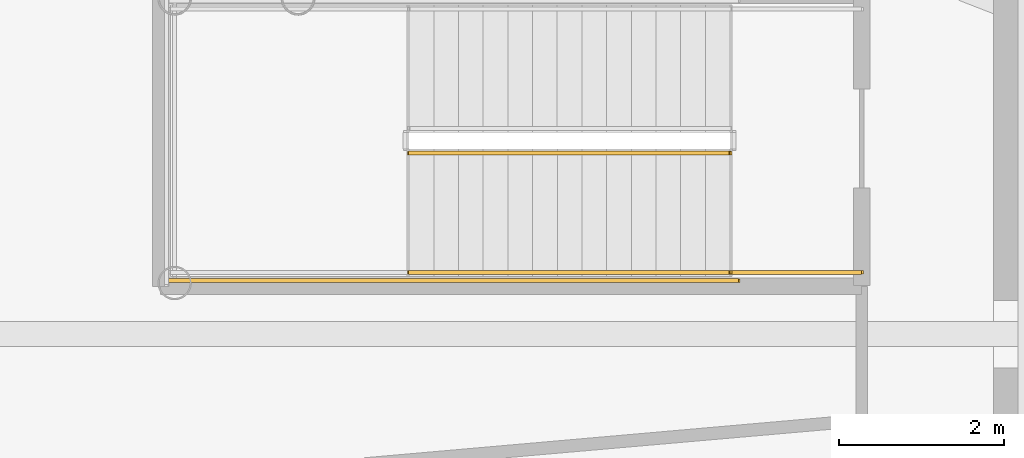
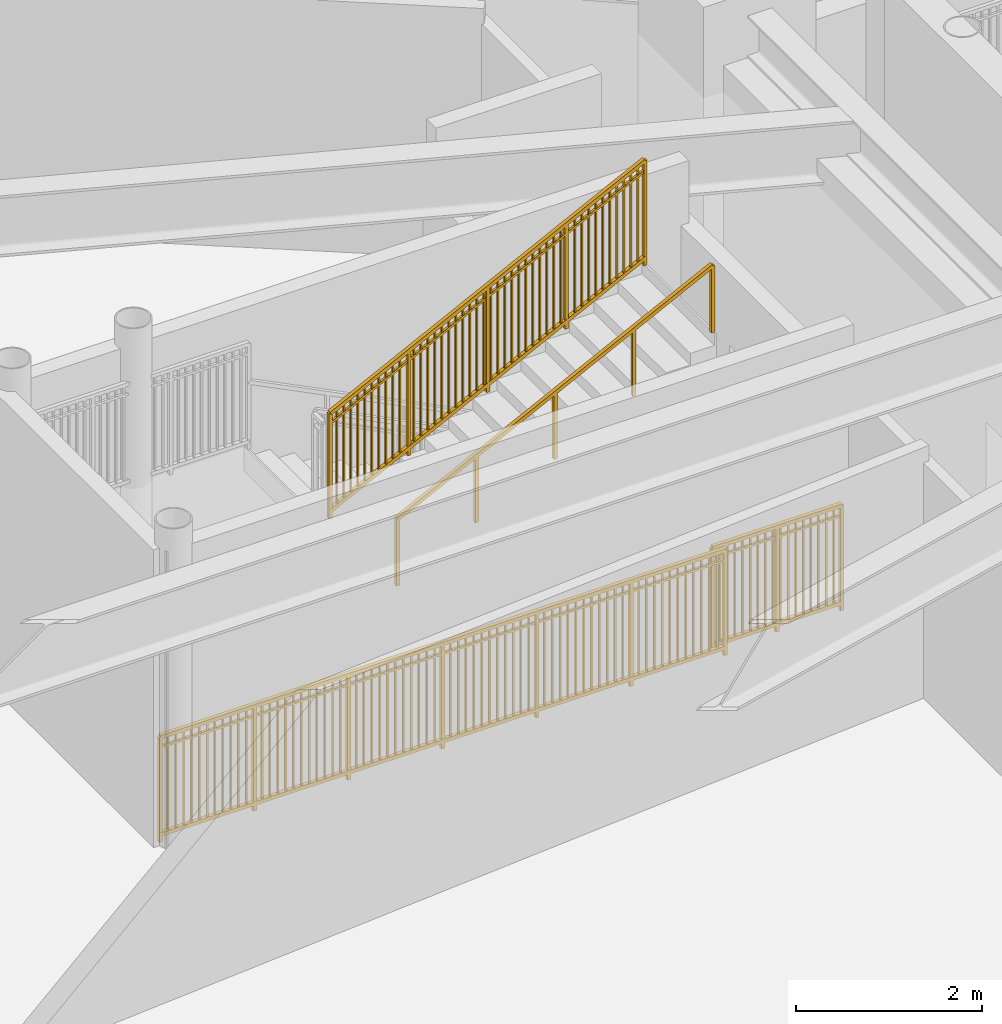
# One storey, part 21 of 30: 4 railings.
"""IFC4 building model written with IfcOpenShell, lengths in metres."""

from ifc_helpers import new_model, si_unit, direction, frame, origin, origin_2d, place, context, subcontext, project, spatial, rectangle, extrude, source, transform, mapped, material, type_object, element, save


model = new_model("IFC4")

# Units and contexts
model_context = context("Model", 3, precision=1e-05, world=origin(), true_north=direction((0.0, 1.0)))
body_context = subcontext(model_context, "Body", "Model", "MODEL_VIEW")
ifc_project = project(units=[si_unit("LENGTHUNIT", "METRE"), si_unit("AREAUNIT", "SQUARE_METRE"), si_unit("VOLUMEUNIT", "CUBIC_METRE"), si_unit("PLANEANGLEUNIT", "RADIAN"), si_unit("MASSUNIT", "GRAM", prefix="KILO")], contexts=[model_context])

# Site, building, storey
site_placement = place(None, origin())
site = spatial("IfcSite", under=ifc_project, at=site_placement, CompositionType="ELEMENT")
building_placement = place(site_placement, origin())
building = spatial("IfcBuilding", under=site, at=building_placement, Name="Linh Dai School and Residence Tower", CompositionType="ELEMENT")
storey_placement = place(building_placement, frame((0.0, 0.0, 10.199951171875)))
storey = spatial("IfcBuildingStorey", under=building, at=storey_placement, Name="L02", CompositionType="ELEMENT", Elevation=10.199951171875)

# Railings
ifc_material_1 = material(Name="Structural Steel S355JR", Category="steel")
railing_type_1 = type_object("IfcRailingType", Name="RL-ST-GUARD-1400", PredefinedType="GUARDRAIL", material=ifc_material_1)
shared_shape_1 = source(origin(), body_context, "Body", "SweptSolid", [
    extrude(rectangle(XDim=0.048095703125, YDim=0.048095703125, at=origin_2d()), frame((0.0, 0.0, 1.3759765625), z_axis=(-1.0, 0.0, 0.0), x_axis=(0.0, -1.0, 0.0)), (0.0, 0.0, 1.0), 1.60009765625),
    extrude(rectangle(XDim=0.048095703125, YDim=0.048095703125, at=origin_2d()), frame((0.0, 0.0, 0.10009765625), z_axis=(-1.0, 0.0, 0.0), x_axis=(0.0, -1.0, 0.0)), (0.0, 0.0, 1.0), 1.60009765625),
    extrude(rectangle(XDim=0.030029296875, YDim=0.030029296875, at=origin_2d()), frame((0.0, 0.0, 1.239990234375), z_axis=(-1.0, 0.0, 0.0), x_axis=(0.0, -1.0, 0.0)), (0.0, 0.0, 1.0), 1.60009765625),
    extrude(rectangle(XDim=0.02001953125, YDim=0.02001953125, at=origin_2d()), frame((-0.09423828125, 0.0, 0.10009765625)), (0.0, 0.0, 1.0), 1.251708984375),
    extrude(rectangle(XDim=0.02001953125, YDim=0.02001953125, at=origin_2d()), frame((-0.188232421875, 0.0, 0.10009765625)), (0.0, 0.0, 1.0), 1.251708984375),
    extrude(rectangle(XDim=0.02001953125, YDim=0.02001953125, at=origin_2d()), frame((-0.282470703125, 0.0, 0.10009765625)), (0.0, 0.0, 1.0), 1.251708984375),
    extrude(rectangle(XDim=0.02001953125, YDim=0.02001953125, at=origin_2d()), frame((-0.37646484375, 0.0, 0.10009765625)), (0.0, 0.0, 1.0), 1.251708984375),
    extrude(rectangle(XDim=0.02001953125, YDim=0.02001953125, at=origin_2d()), frame((-0.470703125, 0.0, 0.10009765625)), (0.0, 0.0, 1.0), 1.251708984375),
    extrude(rectangle(XDim=0.02001953125, YDim=0.02001953125, at=origin_2d()), frame((-0.564697265625, 0.0, 0.10009765625)), (0.0, 0.0, 1.0), 1.251708984375),
    extrude(rectangle(XDim=0.02001953125, YDim=0.02001953125, at=origin_2d()), frame((-0.658935546875, 0.0, 0.10009765625)), (0.0, 0.0, 1.0), 1.251708984375),
    extrude(rectangle(XDim=0.02001953125, YDim=0.02001953125, at=origin_2d()), frame((-0.7529296875, 0.0, 0.10009765625)), (0.0, 0.0, 1.0), 1.251708984375),
    extrude(rectangle(XDim=0.02001953125, YDim=0.02001953125, at=origin_2d()), frame((-0.84716796875, 0.0, 0.10009765625)), (0.0, 0.0, 1.0), 1.251708984375),
    extrude(rectangle(XDim=0.02001953125, YDim=0.02001953125, at=origin_2d()), frame((-0.941162109375, 0.0, 0.10009765625)), (0.0, 0.0, 1.0), 1.251708984375),
    extrude(rectangle(XDim=0.02001953125, YDim=0.02001953125, at=origin_2d()), frame((-1.035400390625, 0.0, 0.10009765625)), (0.0, 0.0, 1.0), 1.251708984375),
    extrude(rectangle(XDim=0.02001953125, YDim=0.02001953125, at=origin_2d()), frame((-1.12939453125, 0.0, 0.10009765625)), (0.0, 0.0, 1.0), 1.251708984375),
    extrude(rectangle(XDim=0.02001953125, YDim=0.02001953125, at=origin_2d()), frame((-1.2236328125, 0.0, 0.10009765625)), (0.0, 0.0, 1.0), 1.251708984375),
    extrude(rectangle(XDim=0.02001953125, YDim=0.02001953125, at=origin_2d()), frame((-1.317626953125, 0.0, 0.10009765625)), (0.0, 0.0, 1.0), 1.251708984375),
    extrude(rectangle(XDim=0.02001953125, YDim=0.02001953125, at=origin_2d()), frame((-1.411865234375, 0.0, 0.10009765625)), (0.0, 0.0, 1.0), 1.251708984375),
    extrude(rectangle(XDim=0.02001953125, YDim=0.02001953125, at=origin_2d()), frame((-1.505859375, 0.0, 0.10009765625)), (0.0, 0.0, 1.0), 1.251708984375),
    extrude(rectangle(XDim=0.0419921875, YDim=0.0419921875, at=origin_2d()), origin(), (0.0, 0.0, 1.0), 1.3759765625),
    extrude(rectangle(XDim=0.0419921875, YDim=0.0419921875, at=origin_2d()), frame((-0.800048828125, 0.0, 0.0)), (0.0, 0.0, 1.0), 1.3759765625),
    extrude(rectangle(XDim=0.0419921875, YDim=0.0419921875, at=origin_2d()), frame((-1.60009765625, 0.0, 0.0)), (0.0, 0.0, 1.0), 1.3759765625),
])
railing_1_placement = place(storey_placement, frame((24.0, 27.75, 0.0)))
element("IfcRailing", 1, at=railing_1_placement, inside=storey, type_object=railing_type_1, Name="L02 STS1 stair guard 9", PredefinedType="GUARDRAIL", context=body_context, shape_type="MappedRepresentation", body=[
    mapped(shared_shape_1, transform((0.0, 0.0, 0.0), x_axis=(1.0, 0.0, 0.0), y_axis=(0.0, 1.0, 0.0), z_axis=(0.0, 0.0, 1.0), scale=1.0)),
])
shared_shape_2 = source(origin(), body_context, "Body", "SweptSolid", [
    extrude(rectangle(XDim=0.048095703125, YDim=0.048095703125, at=origin_2d()), frame((0.0, 0.0, 1.3759765625), z_axis=(0.894427191, 0.0, 0.4472135955), x_axis=(0.0, 1.0, 0.0)), (0.0, 0.0, 1.0), 4.360107421875),
    extrude(rectangle(XDim=0.048095703125, YDim=0.048095703125, at=origin_2d()), frame((0.0, 0.0, 0.10009765625), z_axis=(0.894427191, 0.0, 0.4472135955), x_axis=(0.0, 1.0, 0.0)), (0.0, 0.0, 1.0), 4.360107421875),
    extrude(rectangle(XDim=0.030029296875, YDim=0.030029296875, at=origin_2d()), frame((0.0, 0.0, 1.239990234375), z_axis=(0.894427191, 0.0, 0.4472135955), x_axis=(0.0, 1.0, 0.0)), (0.0, 0.0, 1.0), 4.360107421875),
    extrude(rectangle(XDim=0.02001953125, YDim=0.02001953125, at=origin_2d()), frame((0.086669921875, 0.0, 0.143310546875)), (0.0, 0.0, 1.0), 1.251708984375),
    extrude(rectangle(XDim=0.02001953125, YDim=0.02001953125, at=origin_2d()), frame((0.17333984375, 0.0, 0.186767578125)), (0.0, 0.0, 1.0), 1.251708984375),
    extrude(rectangle(XDim=0.02001953125, YDim=0.02001953125, at=origin_2d()), frame((0.260009765625, 0.0, 0.22998046875)), (0.0, 0.0, 1.0), 1.251708984375),
    extrude(rectangle(XDim=0.02001953125, YDim=0.02001953125, at=origin_2d()), frame((0.3466796875, 0.0, 0.2734375)), (0.0, 0.0, 1.0), 1.251708984375),
    extrude(rectangle(XDim=0.02001953125, YDim=0.02001953125, at=origin_2d()), frame((0.433349609375, 0.0, 0.316650390625)), (0.0, 0.0, 1.0), 1.251708984375),
    extrude(rectangle(XDim=0.02001953125, YDim=0.02001953125, at=origin_2d()), frame((0.52001953125, 0.0, 0.360107421875)), (0.0, 0.0, 1.0), 1.251708984375),
    extrude(rectangle(XDim=0.02001953125, YDim=0.02001953125, at=origin_2d()), frame((0.606689453125, 0.0, 0.4033203125)), (0.0, 0.0, 1.0), 1.251708984375),
    extrude(rectangle(XDim=0.02001953125, YDim=0.02001953125, at=origin_2d()), frame((0.693359375, 0.0, 0.44677734375)), (0.0, 0.0, 1.0), 1.251708984375),
    extrude(rectangle(XDim=0.02001953125, YDim=0.02001953125, at=origin_2d()), frame((0.780029296875, 0.0, 0.489990234375)), (0.0, 0.0, 1.0), 1.251708984375),
    extrude(rectangle(XDim=0.02001953125, YDim=0.02001953125, at=origin_2d()), frame((0.86669921875, 0.0, 0.533447265625)), (0.0, 0.0, 1.0), 1.251708984375),
    extrude(rectangle(XDim=0.02001953125, YDim=0.02001953125, at=origin_2d()), frame((1.0400390625, 0.0, 0.6201171875)), (0.0, 0.0, 1.0), 1.251708984375),
    extrude(rectangle(XDim=0.02001953125, YDim=0.02001953125, at=origin_2d()), frame((1.126708984375, 0.0, 0.663330078125)), (0.0, 0.0, 1.0), 1.251708984375),
    extrude(rectangle(XDim=0.02001953125, YDim=0.02001953125, at=origin_2d()), frame((1.21337890625, 0.0, 0.706787109375)), (0.0, 0.0, 1.0), 1.251708984375),
    extrude(rectangle(XDim=0.02001953125, YDim=0.02001953125, at=origin_2d()), frame((1.300048828125, 0.0, 0.75)), (0.0, 0.0, 1.0), 1.251708984375),
    extrude(rectangle(XDim=0.02001953125, YDim=0.02001953125, at=origin_2d()), frame((1.38671875, 0.0, 0.79345703125)), (0.0, 0.0, 1.0), 1.251708984375),
    extrude(rectangle(XDim=0.02001953125, YDim=0.02001953125, at=origin_2d()), frame((1.473388671875, 0.0, 0.836669921875)), (0.0, 0.0, 1.0), 1.251708984375),
    extrude(rectangle(XDim=0.02001953125, YDim=0.02001953125, at=origin_2d()), frame((1.56005859375, 0.0, 0.880126953125)), (0.0, 0.0, 1.0), 1.251708984375),
    extrude(rectangle(XDim=0.02001953125, YDim=0.02001953125, at=origin_2d()), frame((1.646728515625, 0.0, 0.92333984375)), (0.0, 0.0, 1.0), 1.251708984375),
    extrude(rectangle(XDim=0.02001953125, YDim=0.02001953125, at=origin_2d()), frame((1.7333984375, 0.0, 0.966796875)), (0.0, 0.0, 1.0), 1.251708984375),
    extrude(rectangle(XDim=0.02001953125, YDim=0.02001953125, at=origin_2d()), frame((1.820068359375, 0.0, 1.010009765625)), (0.0, 0.0, 1.0), 1.251708984375),
    extrude(rectangle(XDim=0.02001953125, YDim=0.02001953125, at=origin_2d()), frame((1.90673828125, 0.0, 1.053466796875)), (0.0, 0.0, 1.0), 1.251708984375),
    extrude(rectangle(XDim=0.02001953125, YDim=0.02001953125, at=origin_2d()), frame((1.9931640625, 0.0, 1.0966796875)), (0.0, 0.0, 1.0), 1.251708984375),
    extrude(rectangle(XDim=0.02001953125, YDim=0.02001953125, at=origin_2d()), frame((2.079833984375, 0.0, 1.14013671875)), (0.0, 0.0, 1.0), 1.251708984375),
    extrude(rectangle(XDim=0.02001953125, YDim=0.02001953125, at=origin_2d()), frame((2.16650390625, 0.0, 1.183349609375)), (0.0, 0.0, 1.0), 1.251708984375),
    extrude(rectangle(XDim=0.02001953125, YDim=0.02001953125, at=origin_2d()), frame((2.253173828125, 0.0, 1.226806640625)), (0.0, 0.0, 1.0), 1.251708984375),
    extrude(rectangle(XDim=0.02001953125, YDim=0.02001953125, at=origin_2d()), frame((2.33984375, 0.0, 1.27001953125)), (0.0, 0.0, 1.0), 1.251708984375),
    extrude(rectangle(XDim=0.02001953125, YDim=0.02001953125, at=origin_2d()), frame((2.426513671875, 0.0, 1.3134765625)), (0.0, 0.0, 1.0), 1.251708984375),
    extrude(rectangle(XDim=0.02001953125, YDim=0.02001953125, at=origin_2d()), frame((2.51318359375, 0.0, 1.356689453125)), (0.0, 0.0, 1.0), 1.251708984375),
    extrude(rectangle(XDim=0.02001953125, YDim=0.02001953125, at=origin_2d()), frame((2.599853515625, 0.0, 1.400146484375)), (0.0, 0.0, 1.0), 1.251708984375),
    extrude(rectangle(XDim=0.02001953125, YDim=0.02001953125, at=origin_2d()), frame((2.6865234375, 0.0, 1.443359375)), (0.0, 0.0, 1.0), 1.251708984375),
    extrude(rectangle(XDim=0.02001953125, YDim=0.02001953125, at=origin_2d()), frame((2.773193359375, 0.0, 1.48681640625)), (0.0, 0.0, 1.0), 1.251708984375),
    extrude(rectangle(XDim=0.02001953125, YDim=0.02001953125, at=origin_2d()), frame((2.85986328125, 0.0, 1.530029296875)), (0.0, 0.0, 1.0), 1.251708984375),
    extrude(rectangle(XDim=0.02001953125, YDim=0.02001953125, at=origin_2d()), frame((3.033203125, 0.0, 1.61669921875)), (0.0, 0.0, 1.0), 1.251708984375),
    extrude(rectangle(XDim=0.02001953125, YDim=0.02001953125, at=origin_2d()), frame((3.119873046875, 0.0, 1.66015625)), (0.0, 0.0, 1.0), 1.251708984375),
    extrude(rectangle(XDim=0.02001953125, YDim=0.02001953125, at=origin_2d()), frame((3.20654296875, 0.0, 1.703369140625)), (0.0, 0.0, 1.0), 1.251708984375),
    extrude(rectangle(XDim=0.02001953125, YDim=0.02001953125, at=origin_2d()), frame((3.293212890625, 0.0, 1.746826171875)), (0.0, 0.0, 1.0), 1.251708984375),
    extrude(rectangle(XDim=0.02001953125, YDim=0.02001953125, at=origin_2d()), frame((3.3798828125, 0.0, 1.7900390625)), (0.0, 0.0, 1.0), 1.251708984375),
    extrude(rectangle(XDim=0.02001953125, YDim=0.02001953125, at=origin_2d()), frame((3.466552734375, 0.0, 1.83349609375)), (0.0, 0.0, 1.0), 1.251708984375),
    extrude(rectangle(XDim=0.02001953125, YDim=0.02001953125, at=origin_2d()), frame((3.55322265625, 0.0, 1.876708984375)), (0.0, 0.0, 1.0), 1.251708984375),
    extrude(rectangle(XDim=0.02001953125, YDim=0.02001953125, at=origin_2d()), frame((3.639892578125, 0.0, 1.920166015625)), (0.0, 0.0, 1.0), 1.251708984375),
    extrude(rectangle(XDim=0.02001953125, YDim=0.02001953125, at=origin_2d()), frame((3.7265625, 0.0, 1.96337890625)), (0.0, 0.0, 1.0), 1.251708984375),
    extrude(rectangle(XDim=0.02001953125, YDim=0.02001953125, at=origin_2d()), frame((3.813232421875, 0.0, 2.0068359375)), (0.0, 0.0, 1.0), 1.251708984375),
    extrude(rectangle(XDim=0.0419921875, YDim=0.0419921875, at=origin_2d()), origin(), (0.0, 0.0, 1.0), 1.3759765625),
    extrude(rectangle(XDim=0.0419921875, YDim=0.0419921875, at=origin_2d()), frame((0.97509765625, 0.0, 0.487548828125)), (0.0, 0.0, 1.0), 1.3759765625),
    extrude(rectangle(XDim=0.0419921875, YDim=0.0419921875, at=origin_2d()), frame((1.949951171875, 0.0, 0.97509765625)), (0.0, 0.0, 1.0), 1.3759765625),
    extrude(rectangle(XDim=0.0419921875, YDim=0.0419921875, at=origin_2d()), frame((2.9248046875, 0.0, 1.46240234375)), (0.0, 0.0, 1.0), 1.3759765625),
    extrude(rectangle(XDim=0.0419921875, YDim=0.0419921875, at=origin_2d()), frame((3.89990234375, 0.0, 1.949951171875)), (0.0, 0.0, 1.0), 1.3759765625),
])
railing_2_placement = place(storey_placement, frame((18.5, 29.199951171875, 2.25)))
element("IfcRailing", 2, at=railing_2_placement, inside=storey, type_object=railing_type_1, Name="L02 STS1 stair guard 6", PredefinedType="GUARDRAIL", context=body_context, shape_type="MappedRepresentation", body=[
    mapped(shared_shape_2, transform((0.0, 0.0, 0.0), x_axis=(1.0, 0.0, 0.0), y_axis=(0.0, 1.0, 0.0), z_axis=(0.0, 0.0, 1.0), scale=1.0)),
])
shared_shape_3 = source(origin(), body_context, "Body", "SweptSolid", [
    extrude(rectangle(XDim=0.048095703125, YDim=0.048095703125, at=origin_2d()), frame((0.0, 0.0, 1.3759765625), z_axis=(-1.0, 0.0, 0.0), x_axis=(0.0, -1.0, 0.0)), (0.0, 0.0, 1.0), 7.0),
    extrude(rectangle(XDim=0.048095703125, YDim=0.048095703125, at=origin_2d()), frame((0.0, 0.0, 0.10009765625), z_axis=(-1.0, 0.0, 0.0), x_axis=(0.0, -1.0, 0.0)), (0.0, 0.0, 1.0), 7.0),
    extrude(rectangle(XDim=0.030029296875, YDim=0.030029296875, at=origin_2d()), frame((0.0, 0.0, 1.239990234375), z_axis=(-1.0, 0.0, 0.0), x_axis=(0.0, -1.0, 0.0)), (0.0, 0.0, 1.0), 7.0),
    extrude(rectangle(XDim=0.02001953125, YDim=0.02001953125, at=origin_2d()), frame((-0.09716796875, 0.0, 0.10009765625)), (0.0, 0.0, 1.0), 1.251708984375),
    extrude(rectangle(XDim=0.02001953125, YDim=0.02001953125, at=origin_2d()), frame((-0.1943359375, 0.0, 0.10009765625)), (0.0, 0.0, 1.0), 1.251708984375),
    extrude(rectangle(XDim=0.02001953125, YDim=0.02001953125, at=origin_2d()), frame((-0.291748046875, 0.0, 0.10009765625)), (0.0, 0.0, 1.0), 1.251708984375),
    extrude(rectangle(XDim=0.02001953125, YDim=0.02001953125, at=origin_2d()), frame((-0.388916015625, 0.0, 0.10009765625)), (0.0, 0.0, 1.0), 1.251708984375),
    extrude(rectangle(XDim=0.02001953125, YDim=0.02001953125, at=origin_2d()), frame((-0.486083984375, 0.0, 0.10009765625)), (0.0, 0.0, 1.0), 1.251708984375),
    extrude(rectangle(XDim=0.02001953125, YDim=0.02001953125, at=origin_2d()), frame((-0.583251953125, 0.0, 0.10009765625)), (0.0, 0.0, 1.0), 1.251708984375),
    extrude(rectangle(XDim=0.02001953125, YDim=0.02001953125, at=origin_2d()), frame((-0.6806640625, 0.0, 0.10009765625)), (0.0, 0.0, 1.0), 1.251708984375),
    extrude(rectangle(XDim=0.02001953125, YDim=0.02001953125, at=origin_2d()), frame((-0.77783203125, 0.0, 0.10009765625)), (0.0, 0.0, 1.0), 1.251708984375),
    extrude(rectangle(XDim=0.02001953125, YDim=0.02001953125, at=origin_2d()), frame((-0.875, 0.0, 0.10009765625)), (0.0, 0.0, 1.0), 1.251708984375),
    extrude(rectangle(XDim=0.02001953125, YDim=0.02001953125, at=origin_2d()), frame((-0.97216796875, 0.0, 0.10009765625)), (0.0, 0.0, 1.0), 1.251708984375),
    extrude(rectangle(XDim=0.02001953125, YDim=0.02001953125, at=origin_2d()), frame((-1.0693359375, 0.0, 0.10009765625)), (0.0, 0.0, 1.0), 1.251708984375),
    extrude(rectangle(XDim=0.02001953125, YDim=0.02001953125, at=origin_2d()), frame((-1.263916015625, 0.0, 0.10009765625)), (0.0, 0.0, 1.0), 1.251708984375),
    extrude(rectangle(XDim=0.02001953125, YDim=0.02001953125, at=origin_2d()), frame((-1.361083984375, 0.0, 0.10009765625)), (0.0, 0.0, 1.0), 1.251708984375),
    extrude(rectangle(XDim=0.02001953125, YDim=0.02001953125, at=origin_2d()), frame((-1.458251953125, 0.0, 0.10009765625)), (0.0, 0.0, 1.0), 1.251708984375),
    extrude(rectangle(XDim=0.02001953125, YDim=0.02001953125, at=origin_2d()), frame((-1.5556640625, 0.0, 0.10009765625)), (0.0, 0.0, 1.0), 1.251708984375),
    extrude(rectangle(XDim=0.02001953125, YDim=0.02001953125, at=origin_2d()), frame((-1.65283203125, 0.0, 0.10009765625)), (0.0, 0.0, 1.0), 1.251708984375),
    extrude(rectangle(XDim=0.02001953125, YDim=0.02001953125, at=origin_2d()), frame((-1.75, 0.0, 0.10009765625)), (0.0, 0.0, 1.0), 1.251708984375),
    extrude(rectangle(XDim=0.02001953125, YDim=0.02001953125, at=origin_2d()), frame((-1.84716796875, 0.0, 0.10009765625)), (0.0, 0.0, 1.0), 1.251708984375),
    extrude(rectangle(XDim=0.02001953125, YDim=0.02001953125, at=origin_2d()), frame((-1.9443359375, 0.0, 0.10009765625)), (0.0, 0.0, 1.0), 1.251708984375),
    extrude(rectangle(XDim=0.02001953125, YDim=0.02001953125, at=origin_2d()), frame((-2.041748046875, 0.0, 0.10009765625)), (0.0, 0.0, 1.0), 1.251708984375),
    extrude(rectangle(XDim=0.02001953125, YDim=0.02001953125, at=origin_2d()), frame((-2.138916015625, 0.0, 0.10009765625)), (0.0, 0.0, 1.0), 1.251708984375),
    extrude(rectangle(XDim=0.02001953125, YDim=0.02001953125, at=origin_2d()), frame((-2.236083984375, 0.0, 0.10009765625)), (0.0, 0.0, 1.0), 1.251708984375),
    extrude(rectangle(XDim=0.02001953125, YDim=0.02001953125, at=origin_2d()), frame((-2.4306640625, 0.0, 0.10009765625)), (0.0, 0.0, 1.0), 1.251708984375),
    extrude(rectangle(XDim=0.02001953125, YDim=0.02001953125, at=origin_2d()), frame((-2.52783203125, 0.0, 0.10009765625)), (0.0, 0.0, 1.0), 1.251708984375),
    extrude(rectangle(XDim=0.02001953125, YDim=0.02001953125, at=origin_2d()), frame((-2.625, 0.0, 0.10009765625)), (0.0, 0.0, 1.0), 1.251708984375),
    extrude(rectangle(XDim=0.02001953125, YDim=0.02001953125, at=origin_2d()), frame((-2.72216796875, 0.0, 0.10009765625)), (0.0, 0.0, 1.0), 1.251708984375),
    extrude(rectangle(XDim=0.02001953125, YDim=0.02001953125, at=origin_2d()), frame((-2.8193359375, 0.0, 0.10009765625)), (0.0, 0.0, 1.0), 1.251708984375),
    extrude(rectangle(XDim=0.02001953125, YDim=0.02001953125, at=origin_2d()), frame((-2.916748046875, 0.0, 0.10009765625)), (0.0, 0.0, 1.0), 1.251708984375),
    extrude(rectangle(XDim=0.02001953125, YDim=0.02001953125, at=origin_2d()), frame((-3.013916015625, 0.0, 0.10009765625)), (0.0, 0.0, 1.0), 1.251708984375),
    extrude(rectangle(XDim=0.02001953125, YDim=0.02001953125, at=origin_2d()), frame((-3.111083984375, 0.0, 0.10009765625)), (0.0, 0.0, 1.0), 1.251708984375),
    extrude(rectangle(XDim=0.02001953125, YDim=0.02001953125, at=origin_2d()), frame((-3.208251953125, 0.0, 0.10009765625)), (0.0, 0.0, 1.0), 1.251708984375),
    extrude(rectangle(XDim=0.02001953125, YDim=0.02001953125, at=origin_2d()), frame((-3.3056640625, 0.0, 0.10009765625)), (0.0, 0.0, 1.0), 1.251708984375),
    extrude(rectangle(XDim=0.02001953125, YDim=0.02001953125, at=origin_2d()), frame((-3.40283203125, 0.0, 0.10009765625)), (0.0, 0.0, 1.0), 1.251708984375),
    extrude(rectangle(XDim=0.02001953125, YDim=0.02001953125, at=origin_2d()), frame((-3.59716796875, 0.0, 0.10009765625)), (0.0, 0.0, 1.0), 1.251708984375),
    extrude(rectangle(XDim=0.02001953125, YDim=0.02001953125, at=origin_2d()), frame((-3.6943359375, 0.0, 0.10009765625)), (0.0, 0.0, 1.0), 1.251708984375),
    extrude(rectangle(XDim=0.02001953125, YDim=0.02001953125, at=origin_2d()), frame((-3.791748046875, 0.0, 0.10009765625)), (0.0, 0.0, 1.0), 1.251708984375),
    extrude(rectangle(XDim=0.02001953125, YDim=0.02001953125, at=origin_2d()), frame((-3.888916015625, 0.0, 0.10009765625)), (0.0, 0.0, 1.0), 1.251708984375),
    extrude(rectangle(XDim=0.02001953125, YDim=0.02001953125, at=origin_2d()), frame((-3.986083984375, 0.0, 0.10009765625)), (0.0, 0.0, 1.0), 1.251708984375),
    extrude(rectangle(XDim=0.02001953125, YDim=0.02001953125, at=origin_2d()), frame((-4.083251953125, 0.0, 0.10009765625)), (0.0, 0.0, 1.0), 1.251708984375),
    extrude(rectangle(XDim=0.02001953125, YDim=0.02001953125, at=origin_2d()), frame((-4.1806640625, 0.0, 0.10009765625)), (0.0, 0.0, 1.0), 1.251708984375),
    extrude(rectangle(XDim=0.02001953125, YDim=0.02001953125, at=origin_2d()), frame((-4.27783203125, 0.0, 0.10009765625)), (0.0, 0.0, 1.0), 1.251708984375),
    extrude(rectangle(XDim=0.02001953125, YDim=0.02001953125, at=origin_2d()), frame((-4.375, 0.0, 0.10009765625)), (0.0, 0.0, 1.0), 1.251708984375),
    extrude(rectangle(XDim=0.02001953125, YDim=0.02001953125, at=origin_2d()), frame((-4.47216796875, 0.0, 0.10009765625)), (0.0, 0.0, 1.0), 1.251708984375),
    extrude(rectangle(XDim=0.02001953125, YDim=0.02001953125, at=origin_2d()), frame((-4.5693359375, 0.0, 0.10009765625)), (0.0, 0.0, 1.0), 1.251708984375),
    extrude(rectangle(XDim=0.02001953125, YDim=0.02001953125, at=origin_2d()), frame((-4.763916015625, 0.0, 0.10009765625)), (0.0, 0.0, 1.0), 1.251708984375),
    extrude(rectangle(XDim=0.02001953125, YDim=0.02001953125, at=origin_2d()), frame((-4.861083984375, 0.0, 0.10009765625)), (0.0, 0.0, 1.0), 1.251708984375),
    extrude(rectangle(XDim=0.02001953125, YDim=0.02001953125, at=origin_2d()), frame((-4.958251953125, 0.0, 0.10009765625)), (0.0, 0.0, 1.0), 1.251708984375),
    extrude(rectangle(XDim=0.02001953125, YDim=0.02001953125, at=origin_2d()), frame((-5.0556640625, 0.0, 0.10009765625)), (0.0, 0.0, 1.0), 1.251708984375),
    extrude(rectangle(XDim=0.02001953125, YDim=0.02001953125, at=origin_2d()), frame((-5.15283203125, 0.0, 0.10009765625)), (0.0, 0.0, 1.0), 1.251708984375),
    extrude(rectangle(XDim=0.02001953125, YDim=0.02001953125, at=origin_2d()), frame((-5.25, 0.0, 0.10009765625)), (0.0, 0.0, 1.0), 1.251708984375),
    extrude(rectangle(XDim=0.02001953125, YDim=0.02001953125, at=origin_2d()), frame((-5.34716796875, 0.0, 0.10009765625)), (0.0, 0.0, 1.0), 1.251708984375),
    extrude(rectangle(XDim=0.02001953125, YDim=0.02001953125, at=origin_2d()), frame((-5.4443359375, 0.0, 0.10009765625)), (0.0, 0.0, 1.0), 1.251708984375),
    extrude(rectangle(XDim=0.02001953125, YDim=0.02001953125, at=origin_2d()), frame((-5.541748046875, 0.0, 0.10009765625)), (0.0, 0.0, 1.0), 1.251708984375),
    extrude(rectangle(XDim=0.02001953125, YDim=0.02001953125, at=origin_2d()), frame((-5.638916015625, 0.0, 0.10009765625)), (0.0, 0.0, 1.0), 1.251708984375),
    extrude(rectangle(XDim=0.02001953125, YDim=0.02001953125, at=origin_2d()), frame((-5.736083984375, 0.0, 0.10009765625)), (0.0, 0.0, 1.0), 1.251708984375),
    extrude(rectangle(XDim=0.02001953125, YDim=0.02001953125, at=origin_2d()), frame((-5.9306640625, 0.0, 0.10009765625)), (0.0, 0.0, 1.0), 1.251708984375),
    extrude(rectangle(XDim=0.02001953125, YDim=0.02001953125, at=origin_2d()), frame((-6.02783203125, 0.0, 0.10009765625)), (0.0, 0.0, 1.0), 1.251708984375),
    extrude(rectangle(XDim=0.02001953125, YDim=0.02001953125, at=origin_2d()), frame((-6.125, 0.0, 0.10009765625)), (0.0, 0.0, 1.0), 1.251708984375),
    extrude(rectangle(XDim=0.02001953125, YDim=0.02001953125, at=origin_2d()), frame((-6.22216796875, 0.0, 0.10009765625)), (0.0, 0.0, 1.0), 1.251708984375),
    extrude(rectangle(XDim=0.02001953125, YDim=0.02001953125, at=origin_2d()), frame((-6.3193359375, 0.0, 0.10009765625)), (0.0, 0.0, 1.0), 1.251708984375),
    extrude(rectangle(XDim=0.02001953125, YDim=0.02001953125, at=origin_2d()), frame((-6.416748046875, 0.0, 0.10009765625)), (0.0, 0.0, 1.0), 1.251708984375),
    extrude(rectangle(XDim=0.02001953125, YDim=0.02001953125, at=origin_2d()), frame((-6.513916015625, 0.0, 0.10009765625)), (0.0, 0.0, 1.0), 1.251708984375),
    extrude(rectangle(XDim=0.02001953125, YDim=0.02001953125, at=origin_2d()), frame((-6.611083984375, 0.0, 0.10009765625)), (0.0, 0.0, 1.0), 1.251708984375),
    extrude(rectangle(XDim=0.02001953125, YDim=0.02001953125, at=origin_2d()), frame((-6.708251953125, 0.0, 0.10009765625)), (0.0, 0.0, 1.0), 1.251708984375),
    extrude(rectangle(XDim=0.02001953125, YDim=0.02001953125, at=origin_2d()), frame((-6.8056640625, 0.0, 0.10009765625)), (0.0, 0.0, 1.0), 1.251708984375),
    extrude(rectangle(XDim=0.02001953125, YDim=0.02001953125, at=origin_2d()), frame((-6.90283203125, 0.0, 0.10009765625)), (0.0, 0.0, 1.0), 1.251708984375),
    extrude(rectangle(XDim=0.0419921875, YDim=0.0419921875, at=origin_2d()), origin(), (0.0, 0.0, 1.0), 1.3759765625),
    extrude(rectangle(XDim=0.0419921875, YDim=0.0419921875, at=origin_2d()), frame((-1.166748046875, 0.0, 0.0)), (0.0, 0.0, 1.0), 1.3759765625),
    extrude(rectangle(XDim=0.0419921875, YDim=0.0419921875, at=origin_2d()), frame((-2.333251953125, 0.0, 0.0)), (0.0, 0.0, 1.0), 1.3759765625),
    extrude(rectangle(XDim=0.0419921875, YDim=0.0419921875, at=origin_2d()), frame((-3.5, 0.0, 0.0)), (0.0, 0.0, 1.0), 1.3759765625),
    extrude(rectangle(XDim=0.0419921875, YDim=0.0419921875, at=origin_2d()), frame((-4.666748046875, 0.0, 0.0)), (0.0, 0.0, 1.0), 1.3759765625),
    extrude(rectangle(XDim=0.0419921875, YDim=0.0419921875, at=origin_2d()), frame((-5.833251953125, 0.0, 0.0)), (0.0, 0.0, 1.0), 1.3759765625),
    extrude(rectangle(XDim=0.0419921875, YDim=0.0419921875, at=origin_2d()), frame((-7.0, 0.0, 0.0)), (0.0, 0.0, 1.0), 1.3759765625),
])
railing_3_placement = place(storey_placement, frame((22.5, 27.64990234375, 0.0)))
element("IfcRailing", 3, at=railing_3_placement, inside=storey, type_object=railing_type_1, Name="L02 STS1 stair guard 11", PredefinedType="GUARDRAIL", context=body_context, shape_type="MappedRepresentation", body=[
    mapped(shared_shape_3, transform((0.0, 0.0, 0.0), x_axis=(1.0, 0.0, 0.0), y_axis=(0.0, 1.0, 0.0), z_axis=(0.0, 0.0, 1.0), scale=1.0)),
])
ifc_material_2 = material(Name="Brushed Stainless Steel Handrail", Category="steel")
railing_type_2 = type_object("IfcRailingType", Name="RL-ST-HANDRAIL-900", PredefinedType="HANDRAIL", material=ifc_material_2)
shared_shape_4 = source(origin(), body_context, "Body", "SweptSolid", [
    extrude(rectangle(XDim=0.048095703125, YDim=0.048095703125, at=origin_2d()), frame((0.0, 0.0, 0.8759765625), z_axis=(0.894427191, 0.0, 0.4472135955), x_axis=(0.0, 1.0, 0.0)), (0.0, 0.0, 1.0), 4.360107421875),
    extrude(rectangle(XDim=0.0419921875, YDim=0.0419921875, at=origin_2d()), origin(), (0.0, 0.0, 1.0), 0.8759765625),
    extrude(rectangle(XDim=0.0419921875, YDim=0.0419921875, at=origin_2d()), frame((0.97509765625, 0.0, 0.487548828125)), (0.0, 0.0, 1.0), 0.8759765625),
    extrude(rectangle(XDim=0.0419921875, YDim=0.0419921875, at=origin_2d()), frame((1.949951171875, 0.0, 0.97509765625)), (0.0, 0.0, 1.0), 0.8759765625),
    extrude(rectangle(XDim=0.0419921875, YDim=0.0419921875, at=origin_2d()), frame((2.9248046875, 0.0, 1.46240234375)), (0.0, 0.0, 1.0), 0.8759765625),
    extrude(rectangle(XDim=0.0419921875, YDim=0.0419921875, at=origin_2d()), frame((3.89990234375, 0.0, 1.949951171875)), (0.0, 0.0, 1.0), 0.8759765625),
])
railing_4_placement = place(storey_placement, frame((18.5, 27.75, 2.25)))
element("IfcRailing", 4, at=railing_4_placement, inside=storey, type_object=railing_type_2, Name="L02 STS1 stair handrail 2", PredefinedType="HANDRAIL", context=body_context, shape_type="MappedRepresentation", body=[
    mapped(shared_shape_4, transform((0.0, 0.0, 0.0), x_axis=(1.0, 0.0, 0.0), y_axis=(0.0, 1.0, 0.0), z_axis=(0.0, 0.0, 1.0), scale=1.0)),
])

save(model, "model.ifc")
